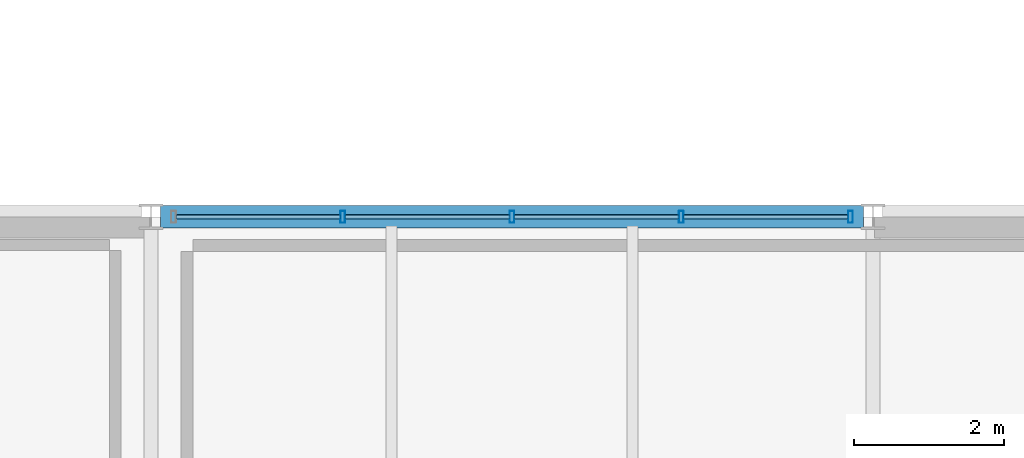
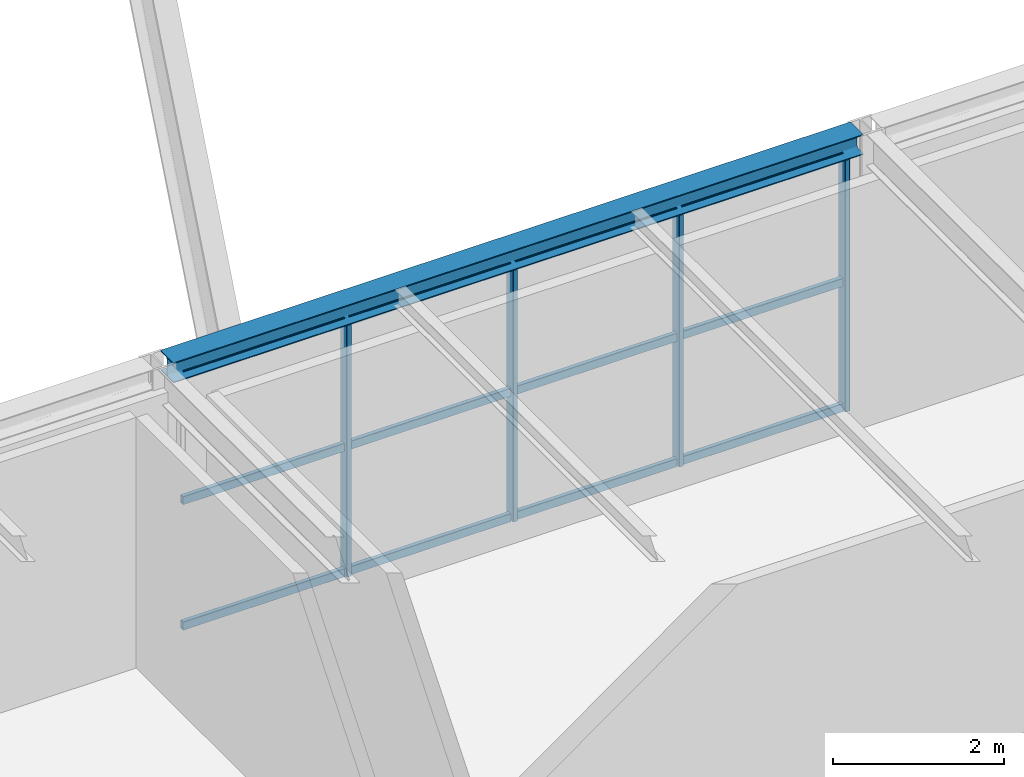
# One storey, part 51 of 126: 16 members, 1 beam, 1 element without a shape of its own.
"""IFC4 building model written with IfcOpenShell, lengths in metres."""

from ifc_helpers import new_model, si_unit, direction, frame, origin, origin_2d, place, context, subcontext, project, spatial, hollow_rectangle, i_section, extrude, material, material_profile, profile_set, type_object, element, aggregate, save


model = new_model("IFC4")

# Units and contexts
model_context = context("Model", 3, precision=1e-05, world=origin(), true_north=direction((0.0, 1.0)))
body_context = subcontext(model_context, "Body", "Model", "MODEL_VIEW")
ifc_project = project(units=[si_unit("LENGTHUNIT", "METRE"), si_unit("AREAUNIT", "SQUARE_METRE"), si_unit("VOLUMEUNIT", "CUBIC_METRE"), si_unit("PLANEANGLEUNIT", "RADIAN"), si_unit("MASSUNIT", "GRAM", prefix="KILO")], contexts=[model_context])

# Site, building, storey
site_placement = place(None, origin())
site = spatial("IfcSite", under=ifc_project, at=site_placement, CompositionType="ELEMENT")
building_placement = place(site_placement, origin())
building = spatial("IfcBuilding", under=site, at=building_placement, Name="Coralgate Yard Interchange", CompositionType="ELEMENT")
storey_placement = place(building_placement, frame((0.0, 0.0, 10.5)))
storey = spatial("IfcBuildingStorey", under=building, at=storey_placement, Name="L02", CompositionType="ELEMENT", Elevation=10.5)

# Beam
ifc_material_1 = material(Name="Structural steel S355J2", Category="steel")
ifc_material_profile_1 = material_profile(ifc_material_1, i_section(OverallWidth=0.300048828125, OverallDepth=0.2900390625, WebThickness=0.008544921875, FlangeThickness=0.013916015625, FilletRadius=0.027099609375, at=origin_2d()), Name="HEA 300")
ifc_profile_set_1 = profile_set([ifc_material_profile_1], Name="Structural steel S355J2")
beam_type = type_object("IfcBeamType", Name="BM-SP-2", PredefinedType="SPANDREL", material=ifc_profile_set_1)
beam_placement = place(storey_placement, frame((76.92724609375, 19.199951171875, 3.804931640625), z_axis=(1.0, 0.0, 0.0), x_axis=(0.0, 1.0, 0.0)))
element("IfcBeam", 1, at=beam_placement, inside=storey, type_object=beam_type, Name="L02 primary grid beam Y2 X8-9", PredefinedType="SPANDREL", context=body_context, shape_type="SweptSolid", body=[
    extrude(i_section(OverallWidth=0.300048828125, OverallDepth=0.2900390625, WebThickness=0.008544921875, FlangeThickness=0.013916015625, FilletRadius=0.027099609375, at=origin_2d()), origin(), (0.0, 0.0, 1.0), 9.345458984375),
])

# Curtain wall, members
ifc_material_2 = material(Name="Anodised coastal aluminium and solar-control low-E glass", Category="aluminium")
curtain_wall_type = type_object("IfcCurtainWallType", Name="CW-CW-L02-A", PredefinedType="NOTDEFINED", material=ifc_material_2)
curtain_wall_placement = place(storey_placement, origin())
curtain_wall = element("IfcCurtainWall", 2, at=curtain_wall_placement, inside=storey, type_object=curtain_wall_type, Name="L02 unitised curtain wall CW-L02-N-08-01", PredefinedType="NOTDEFINED")
ifc_material_3 = material(Name="Anodised coastal aluminium 6063-T6", Category="aluminium")
ifc_material_profile_2 = material_profile(ifc_material_3, hollow_rectangle(XDim=0.06494140625, YDim=0.159912109375, WallThickness=0.00390625, InnerFilletRadius=0.00390625, OuterFilletRadius=0.008056640625, at=origin_2d()), Name="ALU 65x160x4")
ifc_profile_set_2 = profile_set([ifc_material_profile_2], Name="Anodised coastal aluminium 6063-T6")
member_type_1 = type_object("IfcMemberType", Name="MB-MUL-160", PredefinedType="MULLION", material=ifc_profile_set_2)
member_1_placement = place(storey_placement, frame((79.35009765625, 19.199951171875, 0.0), z_axis=(0.0, 0.0, 1.0), x_axis=(1.0, 0.0, 0.0)))
member_1 = element("IfcMember", 3, at=member_1_placement, type_object=member_type_1, Name="CW-L02-N-08-01 vertical mullion 2", PredefinedType="MULLION", context=body_context, shape_type="SweptSolid", body=[
    extrude(hollow_rectangle(XDim=0.06494140625, YDim=0.159912109375, WallThickness=0.00390625, InnerFilletRadius=0.00390625, OuterFilletRadius=0.008056640625, at=origin_2d()), origin(), (0.0, 0.0, 1.0), 3.659912109375),
])
member_2_placement = place(storey_placement, frame((81.60009765625, 19.199951171875, 0.0), z_axis=(0.0, 0.0, 1.0), x_axis=(1.0, 0.0, 0.0)))
member_2 = element("IfcMember", 4, at=member_2_placement, type_object=member_type_1, Name="CW-L02-N-08-01 vertical mullion 3", PredefinedType="MULLION", context=body_context, shape_type="SweptSolid", body=[
    extrude(hollow_rectangle(XDim=0.06494140625, YDim=0.159912109375, WallThickness=0.00390625, InnerFilletRadius=0.00390625, OuterFilletRadius=0.008056640625, at=origin_2d()), origin(), (0.0, 0.0, 1.0), 3.659912109375),
])
member_3_placement = place(storey_placement, frame((83.85009765625, 19.199951171875, 0.0), z_axis=(0.0, 0.0, 1.0), x_axis=(1.0, 0.0, 0.0)))
member_3 = element("IfcMember", 5, at=member_3_placement, type_object=member_type_1, Name="CW-L02-N-08-01 vertical mullion 4", PredefinedType="MULLION", context=body_context, shape_type="SweptSolid", body=[
    extrude(hollow_rectangle(XDim=0.06494140625, YDim=0.159912109375, WallThickness=0.00390625, InnerFilletRadius=0.00390625, OuterFilletRadius=0.008056640625, at=origin_2d()), origin(), (0.0, 0.0, 1.0), 3.659912109375),
])
member_4_placement = place(storey_placement, frame((86.10009765625, 19.199951171875, 0.0), z_axis=(0.0, 0.0, 1.0), x_axis=(1.0, 0.0, 0.0)))
member_4 = element("IfcMember", 6, at=member_4_placement, type_object=member_type_1, Name="CW-L02-N-08-01 vertical mullion 5", PredefinedType="MULLION", context=body_context, shape_type="SweptSolid", body=[
    extrude(hollow_rectangle(XDim=0.06494140625, YDim=0.159912109375, WallThickness=0.00390625, InnerFilletRadius=0.00390625, OuterFilletRadius=0.008056640625, at=origin_2d()), origin(), (0.0, 0.0, 1.0), 3.659912109375),
])
ifc_material_profile_3 = material_profile(ifc_material_3, hollow_rectangle(XDim=0.06005859375, YDim=0.1201171875, WallThickness=0.00341796875, InnerFilletRadius=0.00341796875, OuterFilletRadius=0.007080078125, at=origin_2d()), Name="ALU 60x120x3.5")
ifc_profile_set_3 = profile_set([ifc_material_profile_3], Name="Anodised coastal aluminium 6063-T6")
member_type_2 = type_object("IfcMemberType", Name="MB-TRN-120", PredefinedType="USERDEFINED", material=ifc_profile_set_3)
member_5_placement = place(storey_placement, frame((77.1298828125, 19.199951171875, 0.034912109375), z_axis=(1.0, 0.0, 0.0), x_axis=(0.0, 1.0, 0.0)))
member_5 = element("IfcMember", 7, at=member_5_placement, type_object=member_type_2, Name="CW-L02-N-08-01 horizontal transom 1-1", ObjectType="TRANSOM", PredefinedType="USERDEFINED", context=body_context, shape_type="SweptSolid", body=[
    extrude(hollow_rectangle(XDim=0.06005859375, YDim=0.1201171875, WallThickness=0.00341796875, InnerFilletRadius=0.00341796875, OuterFilletRadius=0.007080078125, at=origin_2d()), origin(), (0.0, 0.0, 1.0), 2.190185546875),
])
member_6_placement = place(storey_placement, frame((77.1298828125, 19.199951171875, 1.830078125), z_axis=(1.0, 0.0, 0.0), x_axis=(0.0, 1.0, 0.0)))
member_6 = element("IfcMember", 8, at=member_6_placement, type_object=member_type_2, Name="CW-L02-N-08-01 horizontal transom 1-2", ObjectType="TRANSOM", PredefinedType="USERDEFINED", context=body_context, shape_type="SweptSolid", body=[
    extrude(hollow_rectangle(XDim=0.06005859375, YDim=0.1201171875, WallThickness=0.00341796875, InnerFilletRadius=0.00341796875, OuterFilletRadius=0.007080078125, at=origin_2d()), origin(), (0.0, 0.0, 1.0), 2.190185546875),
])
member_7_placement = place(storey_placement, frame((77.1298828125, 19.199951171875, 3.625), z_axis=(1.0, 0.0, 0.0), x_axis=(0.0, 1.0, 0.0)))
member_7 = element("IfcMember", 9, at=member_7_placement, type_object=member_type_2, Name="CW-L02-N-08-01 horizontal transom 1-3", ObjectType="TRANSOM", PredefinedType="USERDEFINED", context=body_context, shape_type="SweptSolid", body=[
    extrude(hollow_rectangle(XDim=0.06005859375, YDim=0.1201171875, WallThickness=0.00341796875, InnerFilletRadius=0.00341796875, OuterFilletRadius=0.007080078125, at=origin_2d()), origin(), (0.0, 0.0, 1.0), 2.190185546875),
])
member_8_placement = place(storey_placement, frame((79.3798828125, 19.199951171875, 0.034912109375), z_axis=(1.0, 0.0, 0.0), x_axis=(0.0, 1.0, 0.0)))
member_8 = element("IfcMember", 10, at=member_8_placement, type_object=member_type_2, Name="CW-L02-N-08-01 horizontal transom 2-1", ObjectType="TRANSOM", PredefinedType="USERDEFINED", context=body_context, shape_type="SweptSolid", body=[
    extrude(hollow_rectangle(XDim=0.06005859375, YDim=0.1201171875, WallThickness=0.00341796875, InnerFilletRadius=0.00341796875, OuterFilletRadius=0.007080078125, at=origin_2d()), origin(), (0.0, 0.0, 1.0), 2.190185546875),
])
member_9_placement = place(storey_placement, frame((79.3798828125, 19.199951171875, 1.830078125), z_axis=(1.0, 0.0, 0.0), x_axis=(0.0, 1.0, 0.0)))
member_9 = element("IfcMember", 11, at=member_9_placement, type_object=member_type_2, Name="CW-L02-N-08-01 horizontal transom 2-2", ObjectType="TRANSOM", PredefinedType="USERDEFINED", context=body_context, shape_type="SweptSolid", body=[
    extrude(hollow_rectangle(XDim=0.06005859375, YDim=0.1201171875, WallThickness=0.00341796875, InnerFilletRadius=0.00341796875, OuterFilletRadius=0.007080078125, at=origin_2d()), origin(), (0.0, 0.0, 1.0), 2.190185546875),
])
member_10_placement = place(storey_placement, frame((79.3798828125, 19.199951171875, 3.625), z_axis=(1.0, 0.0, 0.0), x_axis=(0.0, 1.0, 0.0)))
member_10 = element("IfcMember", 12, at=member_10_placement, type_object=member_type_2, Name="CW-L02-N-08-01 horizontal transom 2-3", ObjectType="TRANSOM", PredefinedType="USERDEFINED", context=body_context, shape_type="SweptSolid", body=[
    extrude(hollow_rectangle(XDim=0.06005859375, YDim=0.1201171875, WallThickness=0.00341796875, InnerFilletRadius=0.00341796875, OuterFilletRadius=0.007080078125, at=origin_2d()), origin(), (0.0, 0.0, 1.0), 2.190185546875),
])
member_11_placement = place(storey_placement, frame((81.6298828125, 19.199951171875, 0.034912109375), z_axis=(1.0, 0.0, 0.0), x_axis=(0.0, 1.0, 0.0)))
member_11 = element("IfcMember", 13, at=member_11_placement, type_object=member_type_2, Name="CW-L02-N-08-01 horizontal transom 3-1", ObjectType="TRANSOM", PredefinedType="USERDEFINED", context=body_context, shape_type="SweptSolid", body=[
    extrude(hollow_rectangle(XDim=0.06005859375, YDim=0.1201171875, WallThickness=0.00341796875, InnerFilletRadius=0.00341796875, OuterFilletRadius=0.007080078125, at=origin_2d()), origin(), (0.0, 0.0, 1.0), 2.190185546875),
])
member_12_placement = place(storey_placement, frame((81.6298828125, 19.199951171875, 1.830078125), z_axis=(1.0, 0.0, 0.0), x_axis=(0.0, 1.0, 0.0)))
member_12 = element("IfcMember", 14, at=member_12_placement, type_object=member_type_2, Name="CW-L02-N-08-01 horizontal transom 3-2", ObjectType="TRANSOM", PredefinedType="USERDEFINED", context=body_context, shape_type="SweptSolid", body=[
    extrude(hollow_rectangle(XDim=0.06005859375, YDim=0.1201171875, WallThickness=0.00341796875, InnerFilletRadius=0.00341796875, OuterFilletRadius=0.007080078125, at=origin_2d()), origin(), (0.0, 0.0, 1.0), 2.190185546875),
])
member_13_placement = place(storey_placement, frame((81.6298828125, 19.199951171875, 3.625), z_axis=(1.0, 0.0, 0.0), x_axis=(0.0, 1.0, 0.0)))
member_13 = element("IfcMember", 15, at=member_13_placement, type_object=member_type_2, Name="CW-L02-N-08-01 horizontal transom 3-3", ObjectType="TRANSOM", PredefinedType="USERDEFINED", context=body_context, shape_type="SweptSolid", body=[
    extrude(hollow_rectangle(XDim=0.06005859375, YDim=0.1201171875, WallThickness=0.00341796875, InnerFilletRadius=0.00341796875, OuterFilletRadius=0.007080078125, at=origin_2d()), origin(), (0.0, 0.0, 1.0), 2.190185546875),
])
member_14_placement = place(storey_placement, frame((83.8798828125, 19.199951171875, 0.034912109375), z_axis=(1.0, 0.0, 0.0), x_axis=(0.0, 1.0, 0.0)))
member_14 = element("IfcMember", 16, at=member_14_placement, type_object=member_type_2, Name="CW-L02-N-08-01 horizontal transom 4-1", ObjectType="TRANSOM", PredefinedType="USERDEFINED", context=body_context, shape_type="SweptSolid", body=[
    extrude(hollow_rectangle(XDim=0.06005859375, YDim=0.1201171875, WallThickness=0.00341796875, InnerFilletRadius=0.00341796875, OuterFilletRadius=0.007080078125, at=origin_2d()), origin(), (0.0, 0.0, 1.0), 2.190185546875),
])
member_15_placement = place(storey_placement, frame((83.8798828125, 19.199951171875, 1.830078125), z_axis=(1.0, 0.0, 0.0), x_axis=(0.0, 1.0, 0.0)))
member_15 = element("IfcMember", 17, at=member_15_placement, type_object=member_type_2, Name="CW-L02-N-08-01 horizontal transom 4-2", ObjectType="TRANSOM", PredefinedType="USERDEFINED", context=body_context, shape_type="SweptSolid", body=[
    extrude(hollow_rectangle(XDim=0.06005859375, YDim=0.1201171875, WallThickness=0.00341796875, InnerFilletRadius=0.00341796875, OuterFilletRadius=0.007080078125, at=origin_2d()), origin(), (0.0, 0.0, 1.0), 2.190185546875),
])
member_16_placement = place(storey_placement, frame((83.8798828125, 19.199951171875, 3.625), z_axis=(1.0, 0.0, 0.0), x_axis=(0.0, 1.0, 0.0)))
member_16 = element("IfcMember", 18, at=member_16_placement, type_object=member_type_2, Name="CW-L02-N-08-01 horizontal transom 4-3", ObjectType="TRANSOM", PredefinedType="USERDEFINED", context=body_context, shape_type="SweptSolid", body=[
    extrude(hollow_rectangle(XDim=0.06005859375, YDim=0.1201171875, WallThickness=0.00341796875, InnerFilletRadius=0.00341796875, OuterFilletRadius=0.007080078125, at=origin_2d()), origin(), (0.0, 0.0, 1.0), 2.190185546875),
])
aggregate(curtain_wall, [member_1, member_2, member_3, member_4, member_5, member_6, member_7, member_8, member_9, member_10, member_11, member_12, member_13, member_14, member_15, member_16])

save(model, "model.ifc")
